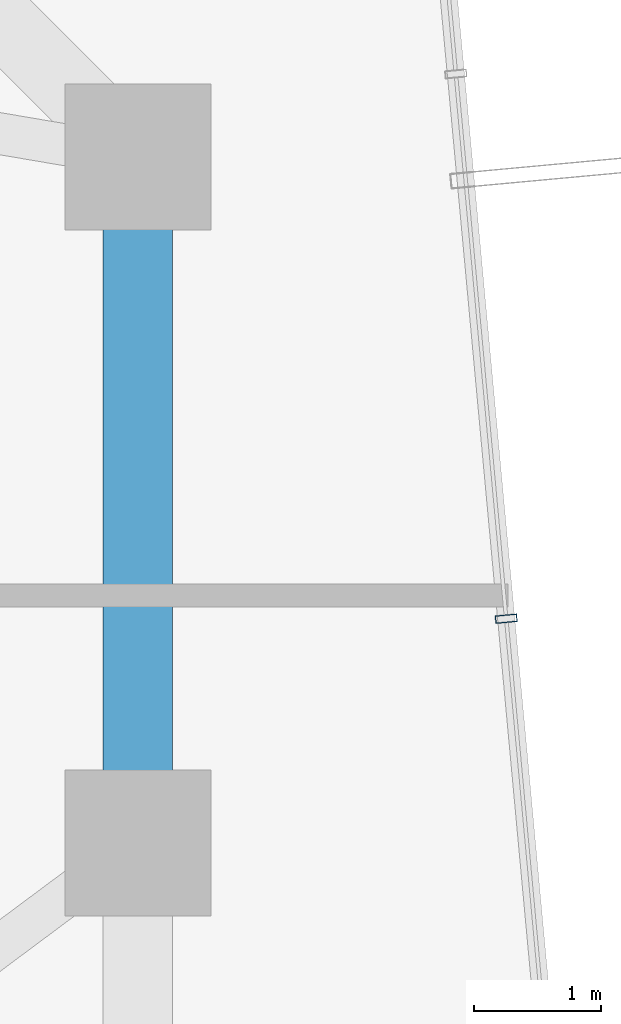
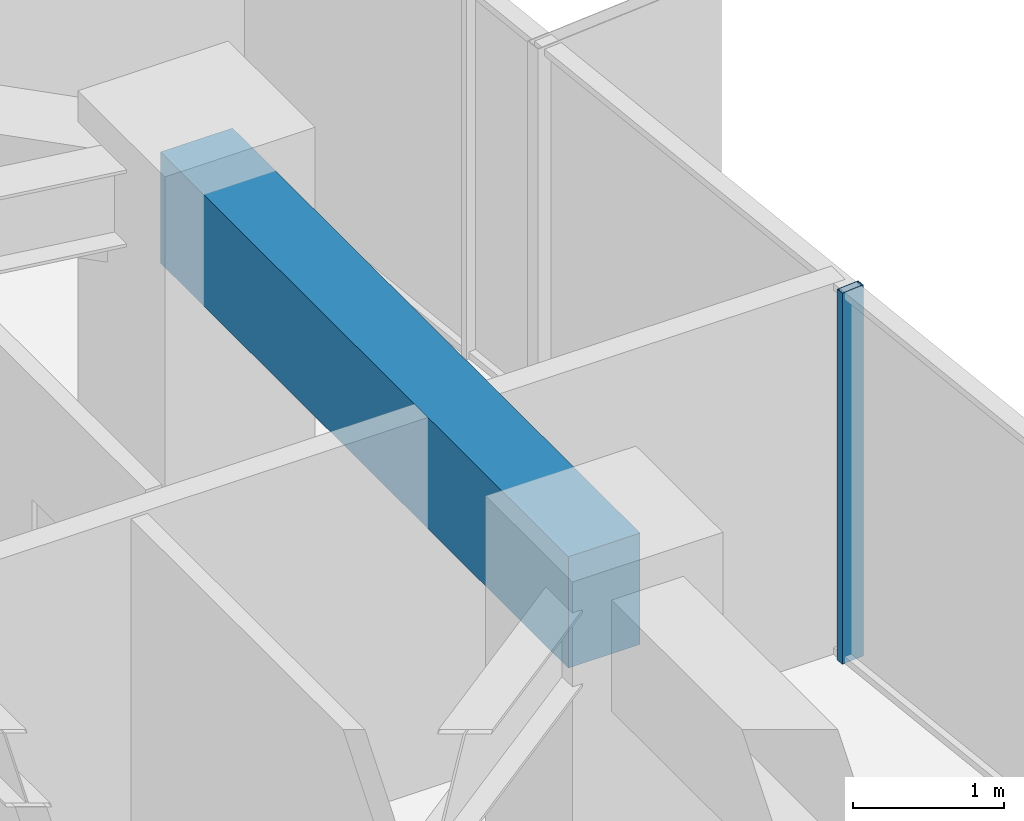
# One storey, part 16 of 33: 1 beam, 1 member, 1 element without a shape of its own.
"""IFC4 building model written with IfcOpenShell, lengths in metres."""

from ifc_helpers import new_model, si_unit, direction, frame, origin, origin_2d, place, context, subcontext, project, spatial, rectangle, hollow_rectangle, extrude, source, transform, mapped, material, layer, layer_set, material_profile, profile_set, type_object, element, aggregate, save


model = new_model("IFC4")

# Units and contexts
model_context = context("Model", 3, precision=1e-05, world=origin(), true_north=direction((0.0, 1.0)))
body_context = subcontext(model_context, "Body", "Model", "MODEL_VIEW")
ifc_project = project(units=[si_unit("LENGTHUNIT", "METRE"), si_unit("AREAUNIT", "SQUARE_METRE"), si_unit("VOLUMEUNIT", "CUBIC_METRE"), si_unit("PLANEANGLEUNIT", "RADIAN"), si_unit("MASSUNIT", "GRAM", prefix="KILO")], contexts=[model_context])

# Site, building, storey
site_placement = place(None, origin())
site = spatial("IfcSite", under=ifc_project, at=site_placement, CompositionType="ELEMENT")
building_placement = place(site_placement, origin())
building = spatial("IfcBuilding", under=site, at=building_placement, Name="Veraguas Prism Commons", CompositionType="ELEMENT")
storey_placement = place(building_placement, frame((0.0, 0.0, 145.75)))
storey = spatial("IfcBuildingStorey", under=building, at=storey_placement, Name="L41", CompositionType="ELEMENT", Elevation=145.75)

# Beam
ifc_material_1 = material(Name="Concrete C50/60", Category="concrete")
ifc_material_profile_1 = material_profile(ifc_material_1, rectangle(XDim=0.550048828125, YDim=0.89990234375, at=origin_2d()), Name="RC550X900")
ifc_profile_set_1 = profile_set([ifc_material_profile_1], Name="Concrete C50/60")
beam_type = type_object("IfcBeamType", Name="Perimeter Spandrel Lower RC 550x900", PredefinedType="SPANDREL", material=ifc_profile_set_1)
beam_placement = place(storey_placement, frame((40.199951171875, 24.0, 2.550048828125), z_axis=(0.0, 1.0, 0.0), x_axis=(-1.0, 0.0, 0.0)))
element("IfcBeam", 1, at=beam_placement, inside=storey, type_object=beam_type, Name="Perimeter Spandrel Beam L41-SP02", PredefinedType="SPANDREL", context=body_context, shape_type="SweptSolid", body=[
    extrude(rectangle(XDim=0.550048828125, YDim=0.89990234375, at=origin_2d()), origin(), (0.0, 0.0, 1.0), 5.39990234375),
])

# Curtain wall, member
ifc_material_2 = material(Name="Anodised aluminium EN AW-6063 T6", Category="aluminium")
ifc_layer = layer(ifc_material_2, 0.169921875, Name="Unitised Flush Curtain Wall Zone 2", Category="aluminium")
ifc_layer_set = layer_set([ifc_layer], Name="Anodised aluminium EN AW-6063 T6")
curtain_wall_type = type_object("IfcCurtainWallType", Name="Unitised Flush Curtain Wall Zone 2", PredefinedType="NOTDEFINED", material=ifc_layer_set)
curtain_wall_placement = place(storey_placement, origin())
curtain_wall = element("IfcCurtainWall", 2, at=curtain_wall_placement, inside=storey, type_object=curtain_wall_type, Name="Tower Facade Curtain Wall L41-F6", PredefinedType="NOTDEFINED")
ifc_material_profile_2 = material_profile(ifc_material_2, hollow_rectangle(XDim=0.06005859375, YDim=0.169921875, WallThickness=0.00390625, at=origin_2d()), Name="AL60X170X4")
ifc_profile_set_2 = profile_set([ifc_material_profile_2], Name="Anodised aluminium EN AW-6063 T6")
member_type = type_object("IfcMemberType", Name="Curtain Wall Mullion Lower AL 60x170x4", PredefinedType="MULLION", material=ifc_profile_set_2)
shared_shape = source(origin(), body_context, "Body", "SweptSolid", [
    extrude(hollow_rectangle(XDim=0.06005859375, YDim=0.169921875, WallThickness=0.00390625, at=origin_2d()), origin(), (0.0, 0.0, 1.0), 3.0),
])
member_placement = place(storey_placement, frame((43.10107421875, 25.76513671875, 0.0), z_axis=(0.0, 0.0, 1.0), x_axis=(-0.092024746261, 0.995756720327, 0.0)))
member = element("IfcMember", 3, at=member_placement, type_object=member_type, Name="CW-Z2 Mullion 3", PredefinedType="MULLION", context=body_context, shape_type="MappedRepresentation", body=[
    mapped(shared_shape, transform((0.0, 0.0, 0.0), scale=1.0)),
])
aggregate(curtain_wall, [member])

save(model, "model.ifc")
